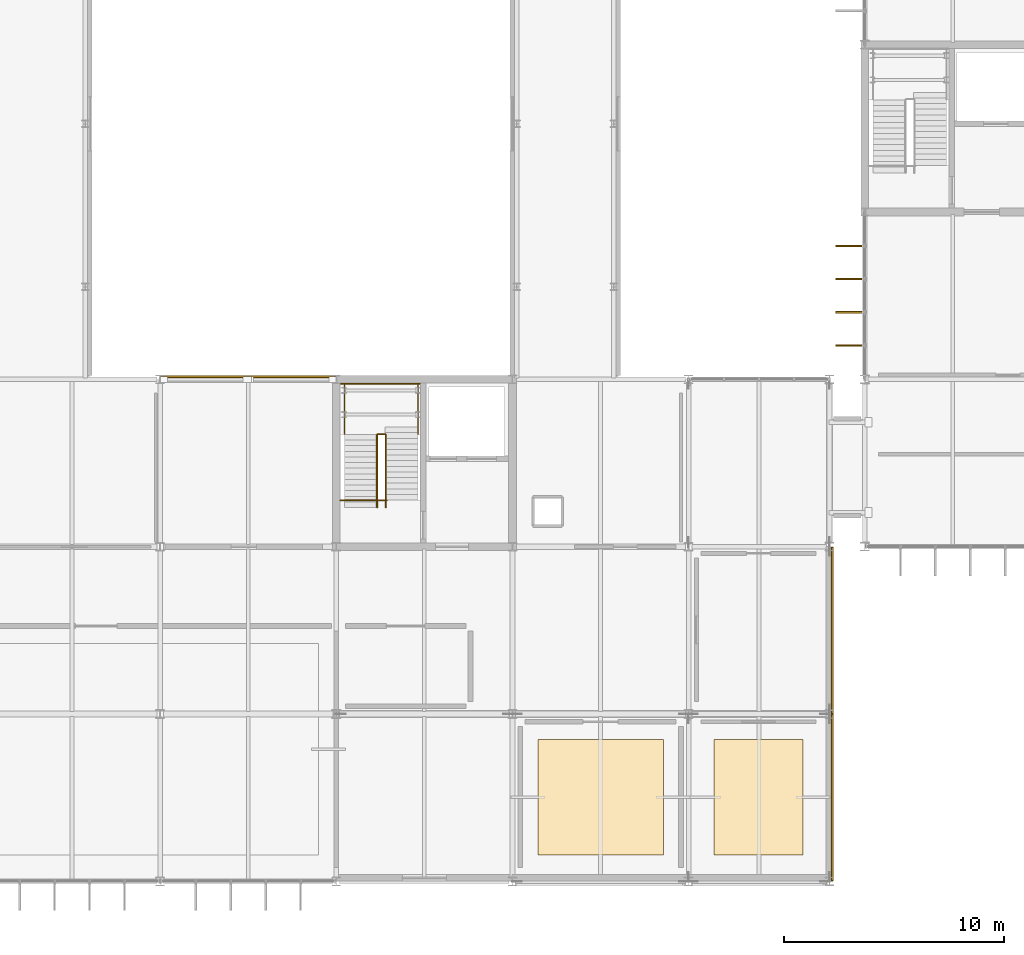
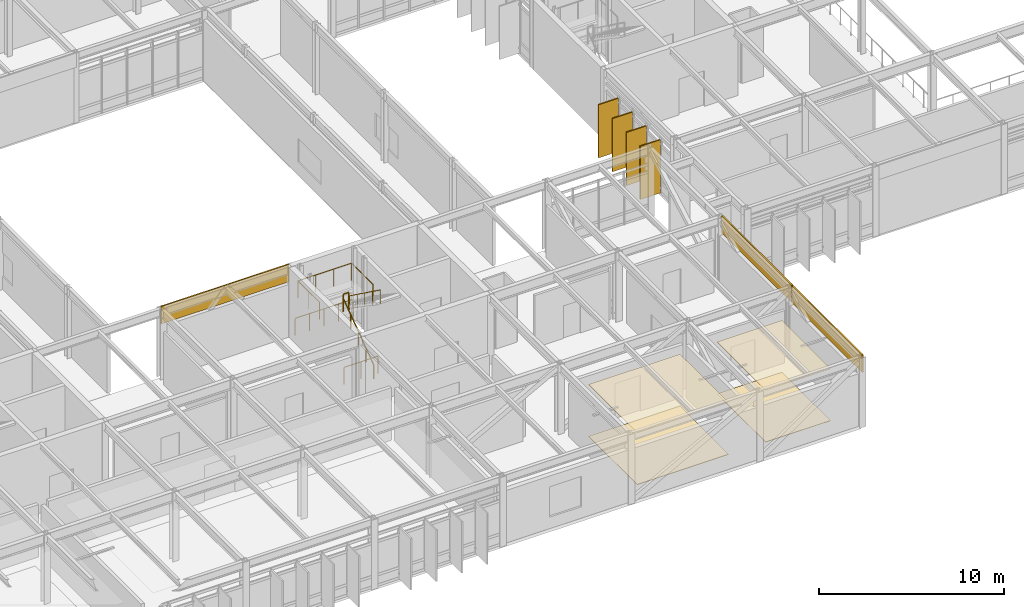
# One storey, part 97 of 104: 7 coverings, 6 railings, 4 shading devices.
"""IFC4 building model written with IfcOpenShell, lengths in metres."""

from ifc_helpers import new_model, si_unit, direction, frame, origin, origin_2d, place, context, subcontext, project, spatial, polyline, rectangle, circle, outline, extrude, material, layer, layer_set, type_object, element, save


model = new_model("IFC4")

# Units and contexts
model_context = context("Model", 3, precision=1e-05, world=origin(), true_north=direction((0.0, 1.0)))
body_context = subcontext(model_context, "Body", "Model", "MODEL_VIEW")
ifc_project = project(units=[si_unit("LENGTHUNIT", "METRE"), si_unit("AREAUNIT", "SQUARE_METRE"), si_unit("VOLUMEUNIT", "CUBIC_METRE"), si_unit("PLANEANGLEUNIT", "RADIAN"), si_unit("MASSUNIT", "GRAM", prefix="KILO")], contexts=[model_context])

# Site, building, storey
site_placement = place(None, origin())
site = spatial("IfcSite", under=ifc_project, at=site_placement, CompositionType="ELEMENT")
building_placement = place(site_placement, origin())
building = spatial("IfcBuilding", under=site, at=building_placement, Name="Zulena Civic Courthouse", CompositionType="ELEMENT")
storey_placement = place(building_placement, frame((0.0, 0.0, 15.60009765625)))
storey = spatial("IfcBuildingStorey", under=building, at=storey_placement, Name="L03", CompositionType="ELEMENT", Elevation=15.60009765625)

# Coverings
ifc_material_1 = material(Name="Perforated acoustic mineral-fibre ceiling tile", Category="concrete")
ifc_layer_1 = layer(ifc_material_1, 0.02490234375)
ifc_layer_set_1 = layer_set([ifc_layer_1], Name="Perforated acoustic mineral-fibre ceiling tile")
covering_type_1 = type_object("IfcCoveringType", Name="AcousticCeiling_25", PredefinedType="CEILING", material=ifc_layer_set_1)
covering_1_placement = place(storey_placement, frame((0.0, 0.0, 3.419921875)))
element("IfcCovering", 1, at=covering_1_placement, inside=storey, type_object=covering_type_1, Name="ceil:L03:314", PredefinedType="CEILING", context=body_context, shape_type="SweptSolid", body=[
    extrude(outline(polyline([(53.14990234375, 1.199951171875), (58.85009765625, 1.199951171875), (58.85009765625, 6.449951171875), (53.14990234375, 6.449951171875), (53.14990234375, 1.199951171875)])), origin(), (0.0, 0.0, 1.0), 0.02490234375),
])
covering_2_placement = place(storey_placement, frame((0.0, 0.0, 3.419921875)))
element("IfcCovering", 2, at=covering_2_placement, inside=storey, type_object=covering_type_1, Name="ceil:L03:315", PredefinedType="CEILING", context=body_context, shape_type="SweptSolid", body=[
    extrude(outline(polyline([(61.14990234375, 1.199951171875), (65.199951171875, 1.199951171875), (65.199951171875, 6.449951171875), (61.14990234375, 6.449951171875), (61.14990234375, 1.199951171875)])), origin(), (0.0, 0.0, 1.0), 0.02490234375),
])

# Shading devices
ifc_material_2 = material(Name="Gold anodised architectural aluminium AA6063-T6", Category="aluminium")
shading_device_type = type_object("IfcShadingDeviceType", Name="GoldSolarFin_350", PredefinedType="USERDEFINED", material=ifc_material_2)
for number, where, z_axis, x_axis, name in (
    (3, (67.31494140625, 24.341552734375, 0.0498046875), (0.0, 0.0, 1.0), (-1.0, 0.0, 0.0), "fin:V4:L03:0:1:1"),
    (4, (67.31494140625, 25.84716796875, 0.0498046875), (0.0, 0.0, 1.0), (-1.0, 0.0, 0.0), "fin:V4:L03:0:1:2"),
    (5, (67.31494140625, 27.352783203125, 0.0498046875), (0.0, 0.0, 1.0), (-1.0, 0.0, 0.0), "fin:V4:L03:0:1:3"),
    (6, (67.31494140625, 28.8583984375, 0.0498046875), (0.0, 0.0, 1.0), (-1.0, 0.0, 0.0), "fin:V4:L03:0:1:4"),
):
    element("IfcShadingDevice", number, at=place(storey_placement, frame(where, z_axis=z_axis, x_axis=x_axis)), inside=storey, type_object=shading_device_type, Name=name, ObjectType="FIN", PredefinedType="USERDEFINED", context=body_context, shape_type="SweptSolid", body=[
        extrude(rectangle(XDim=1.25, YDim=0.080078125, at=origin_2d()), origin(), (0.0, 0.0, 1.0), 3.5),
    ])

# Railings
ifc_material_3 = material(Name="Brushed architectural steel ASTM A36", Category="steel")
railing_type_1 = type_object("IfcRailingType", Name="InteriorGuardrail_1150", PredefinedType="GUARDRAIL", material=ifc_material_3)
railing_1_placement = place(storey_placement, frame((44.199951171875, 22.610107421875, 0.0)))
element("IfcRailing", 7, at=railing_1_placement, inside=storey, type_object=railing_type_1, Name="gr:wellN:K2B:L02", PredefinedType="GUARDRAIL", context=body_context, shape_type="SweptSolid", body=[
    extrude(circle(Radius=0.02392578125, at=origin_2d()), frame((0.00390625, 0.0, 1.1259765625), z_axis=(1.0, 0.0, 0.0), x_axis=(0.0, 1.0, 0.0)), (0.0, 0.0, 1.0), 3.592041015625),
    extrude(circle(Radius=0.02099609375, at=origin_2d()), origin(), (0.0, 0.0, 1.0), 1.097900390625),
    extrude(circle(Radius=0.02099609375, at=origin_2d()), frame((0.89990234375, 0.0, 0.0)), (0.0, 0.0, 1.0), 1.097900390625),
    extrude(circle(Radius=0.02099609375, at=origin_2d()), frame((1.800048828125, 0.0, 0.0)), (0.0, 0.0, 1.0), 1.097900390625),
    extrude(circle(Radius=0.02099609375, at=origin_2d()), frame((2.7001953125, 0.0, 0.0)), (0.0, 0.0, 1.0), 1.097900390625),
    extrude(circle(Radius=0.02099609375, at=origin_2d()), frame((3.60009765625, 0.0, 0.0)), (0.0, 0.0, 1.0), 1.097900390625),
])
railing_2_placement = place(storey_placement, frame((44.179931640625, 17.300048828125, 0.0)))
element("IfcRailing", 8, at=railing_2_placement, inside=storey, type_object=railing_type_1, Name="gr:wells:K2B:L03", PredefinedType="GUARDRAIL", context=body_context, shape_type="SweptSolid", body=[
    extrude(circle(Radius=0.02392578125, at=origin_2d()), frame((0.00390625, 0.0, 1.1259765625), z_axis=(1.0, 0.0, 0.0), x_axis=(0.0, 1.0, 0.0)), (0.0, 0.0, 1.0), 2.112060546875),
    extrude(circle(Radius=0.02099609375, at=origin_2d()), origin(), (0.0, 0.0, 1.0), 1.097900390625),
    extrude(circle(Radius=0.02099609375, at=origin_2d()), frame((1.06005859375, 0.0, 0.0)), (0.0, 0.0, 1.0), 1.097900390625),
    extrude(circle(Radius=0.02099609375, at=origin_2d()), frame((2.1201171875, 0.0, 0.0)), (0.0, 0.0, 1.0), 1.097900390625),
])
railing_3_placement = place(storey_placement, frame((44.3798828125, 20.294677734375, 2.39990234375)))
element("IfcRailing", 9, at=railing_3_placement, inside=storey, type_object=railing_type_1, Name="gr:lnd:K2B:L03", PredefinedType="GUARDRAIL", context=body_context, shape_type="SweptSolid", body=[
    extrude(circle(Radius=0.02392578125, at=origin_2d()), frame((0.0, 0.00390625, 1.1259765625), z_axis=(0.0, 1.0, 0.0), x_axis=(-1.0, 0.0, 0.0)), (0.0, 0.0, 1.0), 2.3173828125),
    extrude(circle(Radius=0.02392578125, at=origin_2d()), frame((0.00390625, 2.325439453125, 1.1259765625), z_axis=(1.0, 0.0, 0.0), x_axis=(0.0, 1.0, 0.0)), (0.0, 0.0, 1.0), 3.33203125),
    extrude(circle(Radius=0.02392578125, at=origin_2d()), frame((3.340087890625, 2.321533203125, 1.1259765625), z_axis=(0.0, -1.0, 0.0), x_axis=(1.0, 0.0, 0.0)), (0.0, 0.0, 1.0), 2.3173828125),
    extrude(circle(Radius=0.02099609375, at=origin_2d()), origin(), (0.0, 0.0, 1.0), 1.097900390625),
    extrude(circle(Radius=0.02099609375, at=origin_2d()), frame((0.0, 1.16259765625, 0.0)), (0.0, 0.0, 1.0), 1.097900390625),
    extrude(circle(Radius=0.02099609375, at=origin_2d()), frame((0.0, 2.325439453125, 0.0)), (0.0, 0.0, 1.0), 1.097900390625),
    extrude(circle(Radius=0.02099609375, at=origin_2d()), frame((1.11328125, 2.325439453125, 0.0)), (0.0, 0.0, 1.0), 1.097900390625),
    extrude(circle(Radius=0.02099609375, at=origin_2d()), frame((2.226806640625, 2.325439453125, 0.0)), (0.0, 0.0, 1.0), 1.097900390625),
    extrude(circle(Radius=0.02099609375, at=origin_2d()), frame((3.340087890625, 2.325439453125, 0.0)), (0.0, 0.0, 1.0), 1.097900390625),
    extrude(circle(Radius=0.02099609375, at=origin_2d()), frame((3.340087890625, 1.16259765625, 0.0)), (0.0, 0.0, 1.0), 1.097900390625),
    extrude(circle(Radius=0.02099609375, at=origin_2d()), frame((3.340087890625, 0.0, 0.0)), (0.0, 0.0, 1.0), 1.097900390625),
])
railing_4_placement = place(storey_placement, frame((45.8798828125, 20.31494140625, 2.39990234375)))
element("IfcRailing", 10, at=railing_4_placement, inside=storey, type_object=railing_type_1, Name="gr:lndslot:K2B:L03", PredefinedType="GUARDRAIL", context=body_context, shape_type="SweptSolid", body=[
    extrude(circle(Radius=0.02392578125, at=origin_2d()), frame((0.00390625, 0.0, 1.1259765625), z_axis=(1.0, 0.0, 0.0), x_axis=(0.0, 1.0, 0.0)), (0.0, 0.0, 1.0), 0.33203125),
    extrude(circle(Radius=0.02099609375, at=origin_2d()), origin(), (0.0, 0.0, 1.0), 1.097900390625),
    extrude(circle(Radius=0.02099609375, at=origin_2d()), frame((0.340087890625, 0.0, 0.0)), (0.0, 0.0, 1.0), 1.097900390625),
])

# Coverings
ifc_material_4 = material(Name="White architectural precast concrete C40/50", Category="concrete")
ifc_layer_2 = layer(ifc_material_4, 0.0849609375)
ifc_layer_set_2 = layer_set([ifc_layer_2], Name="White architectural precast concrete C40/50")
covering_type_2 = type_object("IfcCoveringType", Name="PrecastSpandrelCladding_85", PredefinedType="CLADDING", material=ifc_layer_set_2)
covering_3_placement = place(storey_placement, frame((40.0, 22.919921875, 3.4599609375), z_axis=(0.0, 0.0, 1.0), x_axis=(1.0, 0.0, 0.0)))
element("IfcCovering", 11, at=covering_3_placement, inside=storey, type_object=covering_type_2, Name="clad:sp:V2:L03:1:4", PredefinedType="CLADDING", context=body_context, shape_type="SweptSolid", body=[
    extrude(rectangle(XDim=7.9599609375, YDim=0.0849609375, at=origin_2d()), origin(), (0.0, 0.0, 1.0), 1.139892578125),
])
for number, where, z_axis, x_axis, name in (
    (12, (66.52001953125, 11.39990234375, 3.4599609375), (0.0, 0.0, 1.0), (0.0, -1.0, 0.0), "clad:sp:V2:L03:2:1"),
    (13, (66.52001953125, 3.800048828125, 3.4599609375), (0.0, 0.0, 1.0), (0.0, -1.0, 0.0), "clad:sp:V2:L03:2:2"),
):
    element("IfcCovering", number, at=place(storey_placement, frame(where, z_axis=z_axis, x_axis=x_axis)), inside=storey, type_object=covering_type_2, Name=name, PredefinedType="CLADDING", context=body_context, shape_type="SweptSolid", body=[
        extrude(rectangle(XDim=7.56005859375, YDim=0.0849609375, at=origin_2d()), origin(), (0.0, 0.0, 1.0), 1.139892578125),
    ])

# Railings
railing_type_2 = type_object("IfcRailingType", Name="StairHandrail_920", PredefinedType="HANDRAIL", material=ifc_material_3)
railing_5_placement = place(storey_placement, frame((45.85009765625, 16.97998046875, 0.0)))
element("IfcRailing", 14, at=railing_5_placement, inside=storey, type_object=railing_type_2, Name="hr:K2B:L03:1", PredefinedType="HANDRAIL", context=body_context, shape_type="SweptSolid", body=[
    extrude(circle(Radius=0.02392578125, at=origin_2d()), frame((0.0, 0.003173828125, 0.898193359375), z_axis=(0.0, 0.80998804985, 0.586446382119), x_axis=(-1.0, 0.0, 0.0)), (0.0, 0.0, 1.0), 4.084228515625),
    extrude(circle(Radius=0.02099609375, at=origin_2d()), origin(), (0.0, 0.0, 1.0), 0.867919921875),
    extrude(circle(Radius=0.02099609375, at=origin_2d()), frame((0.0, 0.82861328125, 0.60009765625)), (0.0, 0.0, 1.0), 0.867919921875),
    extrude(circle(Radius=0.02099609375, at=origin_2d()), frame((0.0, 1.6572265625, 1.199951171875)), (0.0, 0.0, 1.0), 0.867919921875),
    extrude(circle(Radius=0.02099609375, at=origin_2d()), frame((0.0, 2.486083984375, 1.7998046875)), (0.0, 0.0, 1.0), 0.867919921875),
    extrude(circle(Radius=0.02099609375, at=origin_2d()), frame((0.0, 3.314697265625, 2.39990234375)), (0.0, 0.0, 1.0), 0.867919921875),
])
railing_6_placement = place(storey_placement, frame((46.25, 20.294677734375, 2.39990234375)))
element("IfcRailing", 15, at=railing_6_placement, inside=storey, type_object=railing_type_2, Name="hr:K2B:L03:2", PredefinedType="HANDRAIL", context=body_context, shape_type="SweptSolid", body=[
    extrude(circle(Radius=0.02392578125, at=origin_2d()), frame((0.0, -0.003173828125, 0.898193359375), z_axis=(0.0, -0.80998804985, 0.586446382119), x_axis=(1.0, 0.0, 0.0)), (0.0, 0.0, 1.0), 4.084228515625),
    extrude(circle(Radius=0.02099609375, at=origin_2d()), origin(), (0.0, 0.0, 1.0), 0.867919921875),
    extrude(circle(Radius=0.02099609375, at=origin_2d()), frame((0.0, -0.82861328125, 0.60009765625)), (0.0, 0.0, 1.0), 0.867919921875),
    extrude(circle(Radius=0.02099609375, at=origin_2d()), frame((0.0, -1.6572265625, 1.199951171875)), (0.0, 0.0, 1.0), 0.867919921875),
    extrude(circle(Radius=0.02099609375, at=origin_2d()), frame((0.0, -2.486083984375, 1.7998046875)), (0.0, 0.0, 1.0), 0.867919921875),
    extrude(circle(Radius=0.02099609375, at=origin_2d()), frame((0.0, -3.314697265625, 2.39990234375)), (0.0, 0.0, 1.0), 0.867919921875),
])

# Coverings
ifc_material_5 = material(Name="Honed travertine stone flooring", Category="masonry")
ifc_layer_3 = layer(ifc_material_5, 0.030029296875)
ifc_layer_set_3 = layer_set([ifc_layer_3], Name="Honed travertine stone flooring")
covering_type_3 = type_object("IfcCoveringType", Name="TravertineFlooring_30", PredefinedType="FLOORING", material=ifc_layer_set_3)
covering_4_placement = place(storey_placement, origin())
element("IfcCovering", 16, at=covering_4_placement, inside=storey, type_object=covering_type_3, Name="floor:L03:314", PredefinedType="FLOORING", context=body_context, shape_type="SweptSolid", body=[
    extrude(outline(polyline([(53.14990234375, 1.199951171875), (58.85009765625, 1.199951171875), (58.85009765625, 6.449951171875), (53.14990234375, 6.449951171875), (53.14990234375, 1.199951171875)])), origin(), (0.0, 0.0, 1.0), 0.02978515625),
])
covering_5_placement = place(storey_placement, origin())
element("IfcCovering", 17, at=covering_5_placement, inside=storey, type_object=covering_type_3, Name="floor:L03:315", PredefinedType="FLOORING", context=body_context, shape_type="SweptSolid", body=[
    extrude(outline(polyline([(61.14990234375, 1.199951171875), (65.199951171875, 1.199951171875), (65.199951171875, 6.449951171875), (61.14990234375, 6.449951171875), (61.14990234375, 1.199951171875)])), origin(), (0.0, 0.0, 1.0), 0.02978515625),
])

save(model, "model.ifc")
